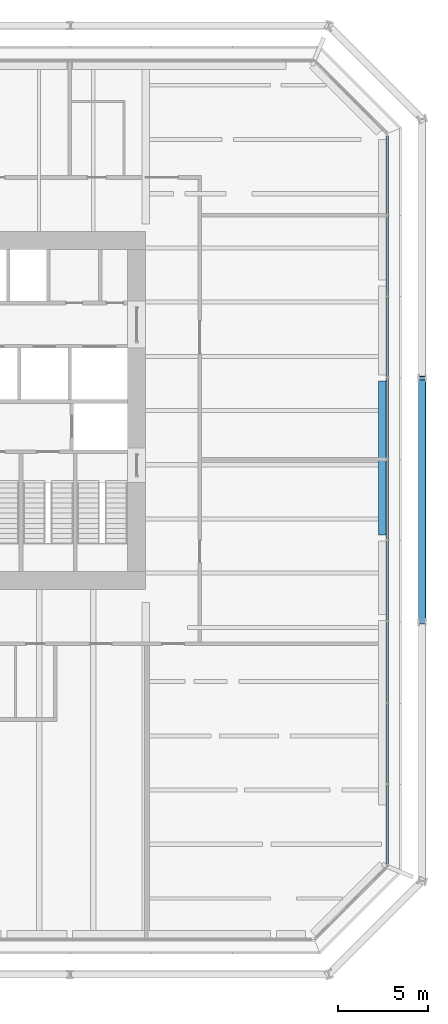
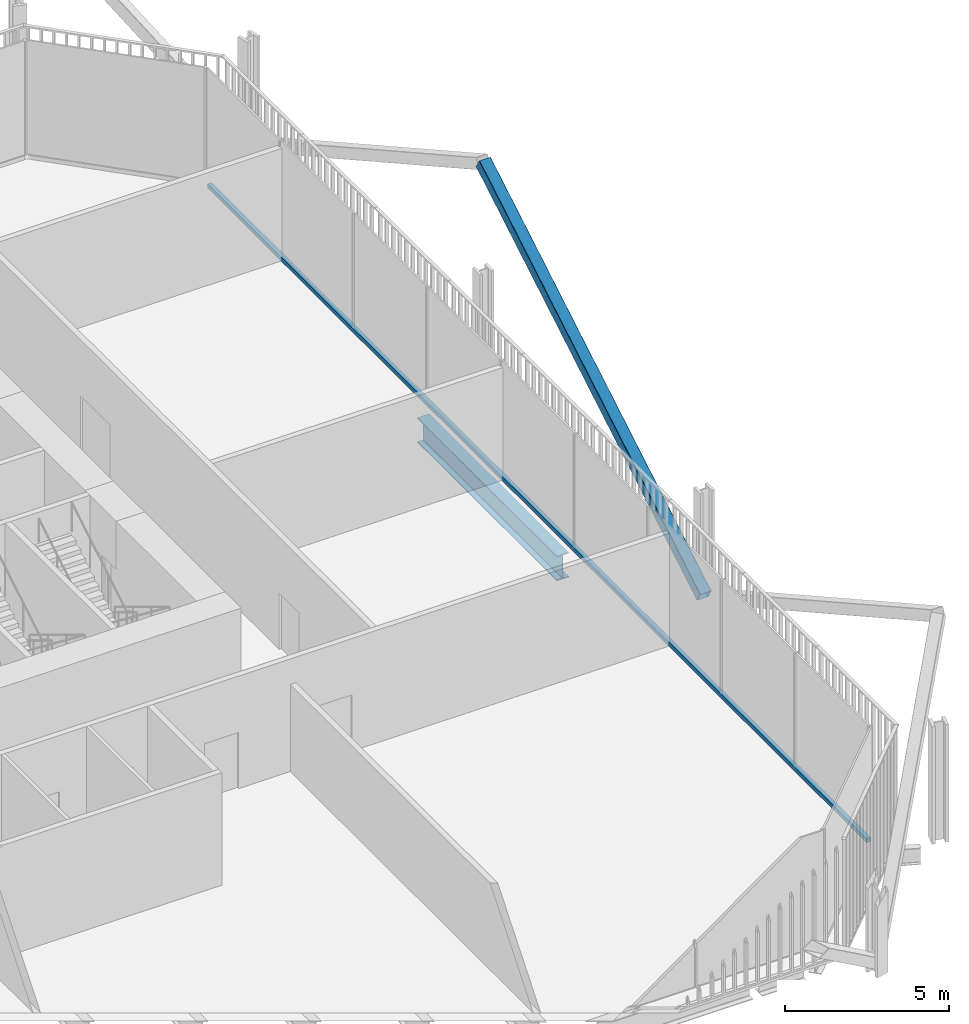
# One storey, part 9 of 21: 2 members, 1 beam, 1 element without a shape of its own.
"""IFC4 building model written with IfcOpenShell, lengths in metres."""

from ifc_helpers import new_model, si_unit, direction, frame, origin, origin_2d, place, context, subcontext, project, spatial, rectangle, hollow_rectangle, i_section, extrude, material, layer, layer_set, material_profile, profile_set, type_object, element, aggregate, save


model = new_model("IFC4")

# Units and contexts
model_context = context("Model", 3, precision=1e-05, world=origin(), true_north=direction((0.0, 1.0)))
body_context = subcontext(model_context, "Body", "Model", "MODEL_VIEW")
ifc_project = project(units=[si_unit("LENGTHUNIT", "METRE"), si_unit("AREAUNIT", "SQUARE_METRE"), si_unit("VOLUMEUNIT", "CUBIC_METRE"), si_unit("PLANEANGLEUNIT", "RADIAN"), si_unit("MASSUNIT", "GRAM", prefix="KILO")], contexts=[model_context])

# Site, building, storey
site_placement = place(None, origin())
site = spatial("IfcSite", under=ifc_project, at=site_placement, CompositionType="ELEMENT")
building_placement = place(site_placement, origin())
building = spatial("IfcBuilding", under=site, at=building_placement, Name="Millrace Tower", CompositionType="ELEMENT")
storey_placement = place(building_placement, frame((0.0, 0.0, 73.199951171875)))
storey = spatial("IfcBuildingStorey", under=building, at=storey_placement, Name="L16", CompositionType="ELEMENT", Elevation=73.199951171875)

# Curtain wall, member
ifc_material_1 = material(Name="Aluminium and glass", Category="aluminium")
ifc_layer = layer(ifc_material_1, 0.14990234375)
ifc_layer_set = layer_set([ifc_layer], Name="Aluminium and glass")
curtain_wall_type = type_object("IfcCurtainWallType", Name="CW-3 telecom floor curtain wall", PredefinedType="NOTDEFINED", material=ifc_layer_set)
curtain_wall_placement = place(storey_placement, origin())
curtain_wall = element("IfcCurtainWall", 1, at=curtain_wall_placement, inside=storey, type_object=curtain_wall_type, Name="Curtain wall B-F04 L16", PredefinedType="NOTDEFINED")
ifc_material_2 = material(Name="Aluminium", Category="aluminium")
ifc_material_profile_1 = material_profile(ifc_material_2, rectangle(XDim=0.14990234375, YDim=0.14990234375, at=origin_2d()))
ifc_profile_set_1 = profile_set([ifc_material_profile_1], Name="Aluminium")
member_type_1 = type_object("IfcMemberType", Name="CW-3 telecom floor curtain wall transom", PredefinedType="USERDEFINED", material=ifc_profile_set_1)
member_1_placement = place(storey_placement, frame((28.27490234375, -25.10009765625, 0.074951171875), z_axis=(0.0, 1.0, 0.0), x_axis=(-1.0, 0.0, 0.0)))
member_1 = element("IfcMember", 2, at=member_1_placement, type_object=member_type_1, Name="CW3 transom B-F04.1", ObjectType="TRANSOM", PredefinedType="USERDEFINED", context=body_context, shape_type="SweptSolid", body=[
    extrude(rectangle(XDim=0.14990234375, YDim=0.14990234375, at=origin_2d()), origin(), (0.0, 0.0, 1.0), 40.300048828125),
])
aggregate(curtain_wall, [member_1])

# Member
ifc_material_3 = material(Name="Steel ASTM A500 Grade C", Category="steel")
ifc_material_profile_2 = material_profile(ifc_material_3, hollow_rectangle(XDim=0.406494140625, YDim=0.406494140625, WallThickness=0.015869140625, InnerFilletRadius=0.008056640625, OuterFilletRadius=0.02392578125, at=origin_2d()))
ifc_profile_set_2 = profile_set([ifc_material_profile_2], Name="Steel ASTM A500 Grade C")
member_type_2 = type_object("IfcMemberType", Name="Exoskeleton brace HSS16x16x5/8", PredefinedType="BRACE", material=ifc_profile_set_2)
member_2_placement = place(storey_placement, frame((30.199951171875, -11.699951171875, 0.400146484375), z_axis=(0.0, 0.860291533634, 0.509802390302), x_axis=(-1.0, 0.0, 0.0)))
element("IfcMember", 3, at=member_2_placement, inside=storey, type_object=member_type_2, Name="BRC-B-L16-07", PredefinedType="BRACE", context=body_context, shape_type="SweptSolid", body=[
    extrude(hollow_rectangle(XDim=0.406494140625, YDim=0.406494140625, WallThickness=0.015869140625, InnerFilletRadius=0.008056640625, OuterFilletRadius=0.02392578125, at=origin_2d()), origin(), (0.0, 0.0, 1.0), 15.6923828125),
])

# Beam
ifc_material_4 = material(Name="Steel ASTM A992 Grade 50", Category="steel")
ifc_material_profile_3 = material_profile(ifc_material_4, i_section(OverallWidth=0.419189453125, OverallDepth=0.927001953125, WebThickness=0.019287109375, FlangeThickness=0.031982421875, FilletRadius=0.024169921875, at=origin_2d()))
ifc_profile_set_3 = profile_set([ifc_material_profile_3], Name="Steel ASTM A992 Grade 50")
beam_type = type_object("IfcBeamType", Name="Ring beam short span W36x231", PredefinedType="SPANDREL", material=ifc_profile_set_3)
beam_placement = place(storey_placement, frame((27.990478515625, 1.638671875, -0.66357421875), z_axis=(0.0, -1.0, 0.0), x_axis=(1.0, 0.0, 0.0)))
element("IfcBeam", 4, at=beam_placement, inside=storey, type_object=beam_type, Name="RNG-B-L16-S1-10-a", PredefinedType="SPANDREL", context=body_context, shape_type="SweptSolid", body=[
    extrude(i_section(OverallWidth=0.419189453125, OverallDepth=0.927001953125, WebThickness=0.019287109375, FlangeThickness=0.031982421875, FilletRadius=0.024169921875, at=origin_2d()), origin(), (0.0, 0.0, 1.0), 8.52587890625),
])

save(model, "model.ifc")
